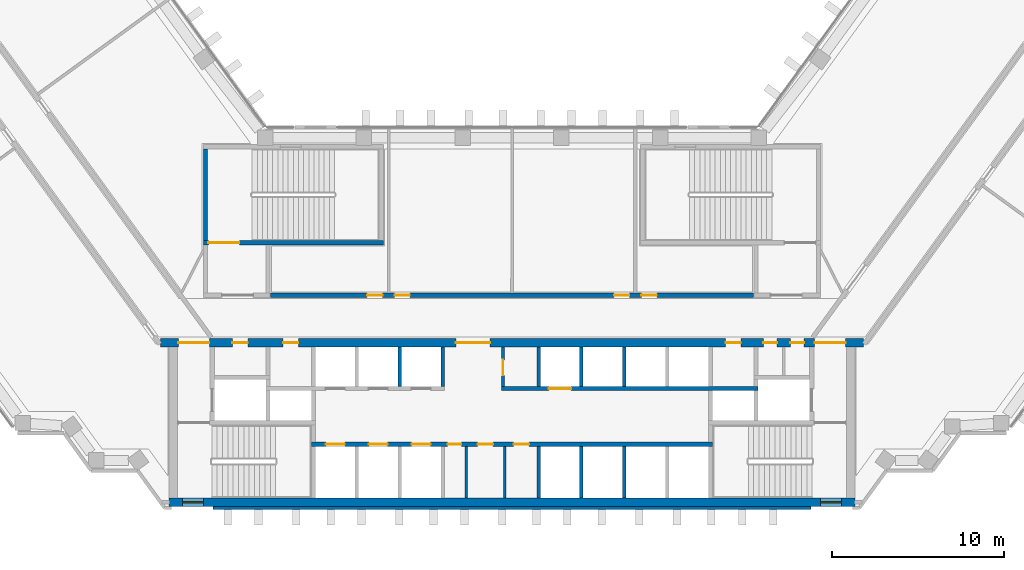
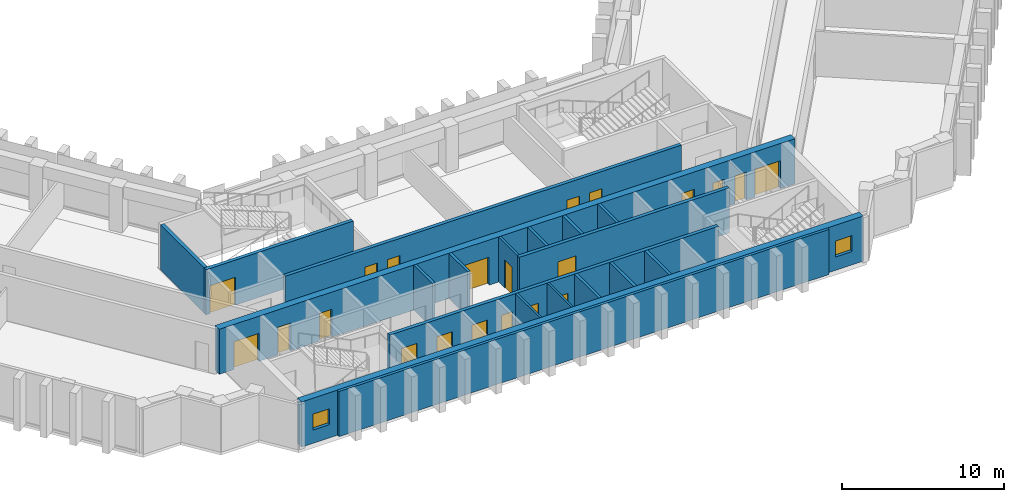
# One storey, part 5 of 12: 21 doors, 19 walls, 2 windows, 23 openings.
"""IFC4 building model written with IfcOpenShell, lengths in metres."""

from ifc_helpers import new_model, si_unit, direction, frame, frame_2d, origin, place, context, subcontext, project, spatial, rectangle, extrude, material, layer, layer_set, type_object, element, fill, save


model = new_model("IFC4")

# Units and contexts
model_context = context("Model", 3, precision=1e-05, world=origin(), true_north=direction((0.0, 1.0)))
body_context = subcontext(model_context, "Body", "Model", "MODEL_VIEW")
ifc_project = project(units=[si_unit("LENGTHUNIT", "METRE"), si_unit("AREAUNIT", "SQUARE_METRE"), si_unit("VOLUMEUNIT", "CUBIC_METRE"), si_unit("PLANEANGLEUNIT", "RADIAN"), si_unit("MASSUNIT", "GRAM", prefix="KILO")], contexts=[model_context])

# Site, building, storey
site_placement = place(None, origin())
site = spatial("IfcSite", under=ifc_project, at=site_placement, CompositionType="ELEMENT")
building_placement = place(site_placement, origin())
building = spatial("IfcBuilding", under=site, at=building_placement, Name="Quipu Civic Tower", CompositionType="ELEMENT")
storey_placement = place(building_placement, frame((0.0, 0.0, 75.0)))
storey = spatial("IfcBuildingStorey", under=building, at=storey_placement, Name="L17", CompositionType="ELEMENT", Elevation=75.0)

# Wall, openings, doors
ifc_material_1 = material(Name="Concrete C70/85", Category="concrete")
ifc_layer_1 = layer(ifc_material_1, 0.25)
ifc_layer_set_1 = layer_set([ifc_layer_1], Name="Concrete C70/85")
wall_type_1 = type_object("IfcWallType", Name="Core wall 250", PredefinedType="SHEAR", material=ifc_layer_set_1)
wall_1_placement = place(storey_placement, frame((11.699951171875, -7.375, 0.0), z_axis=(0.0, 0.0, 1.0), x_axis=(-1.0, 0.0, 0.0)))
wall_1 = element("IfcWall", 1, at=wall_1_placement, inside=storey, type_object=wall_type_1, Name="Core wall", PredefinedType="SHEAR", context=body_context, shape_type="SweptSolid", body=[
    extrude(rectangle(XDim=23.39990234375, YDim=0.25, at=frame_2d((11.699951171875, 0.0))), origin(), (0.0, 0.0, 1.0), 3.39990234375),
])
opening_1_placement = place(wall_1_placement, frame((21.449951171875, 0.0, 0.0)))
opening_1 = element("IfcOpeningElement", 2, at=opening_1_placement, cuts=wall_1, Name="Opening LD-LL1", PredefinedType="OPENING", context=body_context, shape_type="SweptSolid", body=[
    extrude(rectangle(XDim=1.10009765625, YDim=2.10009765625, at=frame_2d((0.550048828125, 1.050048828125))), frame((0.0, 0.135009765625, 0.0), z_axis=(0.0, -1.0, 0.0), x_axis=(1.0, 0.0, 0.0)), (0.0, 0.0, 1.0), 0.27001953125),
])
opening_2_placement = place(wall_1_placement, frame((18.949951171875, 0.0, 0.0)))
opening_2 = element("IfcOpeningElement", 3, at=opening_2_placement, cuts=wall_1, Name="Opening LD-LL2", PredefinedType="OPENING", context=body_context, shape_type="SweptSolid", body=[
    extrude(rectangle(XDim=1.10009765625, YDim=2.10009765625, at=frame_2d((0.550048828125, 1.050048828125))), frame((0.0, 0.135009765625, 0.0), z_axis=(0.0, -1.0, 0.0), x_axis=(1.0, 0.0, 0.0)), (0.0, 0.0, 1.0), 0.27001953125),
])
opening_3_placement = place(wall_1_placement, frame((16.449951171875, 0.0, 0.0)))
opening_3 = element("IfcOpeningElement", 4, at=opening_3_placement, cuts=wall_1, Name="Opening LD-LL3", PredefinedType="OPENING", context=body_context, shape_type="SweptSolid", body=[
    extrude(rectangle(XDim=1.10009765625, YDim=2.10009765625, at=frame_2d((0.550048828125, 1.050048828125))), frame((0.0, 0.135009765625, 0.0), z_axis=(0.0, -1.0, 0.0), x_axis=(1.0, 0.0, 0.0)), (0.0, 0.0, 1.0), 0.27001953125),
])
opening_4_placement = place(wall_1_placement, frame((14.64990234375, 0.0, 0.0)))
opening_4 = element("IfcOpeningElement", 5, at=opening_4_placement, cuts=wall_1, Name="Opening CD-01", PredefinedType="OPENING", context=body_context, shape_type="SweptSolid", body=[
    extrude(rectangle(XDim=0.800048828125, YDim=2.10009765625, at=frame_2d((0.39990234375, 1.050048828125))), frame((0.0, 0.135009765625, 0.0), z_axis=(0.0, -1.0, 0.0), x_axis=(1.0, 0.0, 0.0)), (0.0, 0.0, 1.0), 0.27001953125),
])
opening_5_placement = place(wall_1_placement, frame((12.800048828125, 0.0, 0.0)))
opening_5 = element("IfcOpeningElement", 6, at=opening_5_placement, cuts=wall_1, Name="Opening CD-02", PredefinedType="OPENING", context=body_context, shape_type="SweptSolid", body=[
    extrude(rectangle(XDim=0.89990234375, YDim=2.10009765625, at=frame_2d((0.449951171875, 1.050048828125))), frame((0.0, 0.135009765625, 0.0), z_axis=(0.0, -1.0, 0.0), x_axis=(1.0, 0.0, 0.0)), (0.0, 0.0, 1.0), 0.27001953125),
])
opening_6_placement = place(wall_1_placement, frame((10.699951171875, 0.0, 0.0)))
opening_6 = element("IfcOpeningElement", 7, at=opening_6_placement, cuts=wall_1, Name="Opening CD-03", PredefinedType="OPENING", context=body_context, shape_type="SweptSolid", body=[
    extrude(rectangle(XDim=0.89990234375, YDim=2.10009765625, at=frame_2d((0.449951171875, 1.050048828125))), frame((0.0, 0.135009765625, 0.0), z_axis=(0.0, -1.0, 0.0), x_axis=(1.0, 0.0, 0.0)), (0.0, 0.0, 1.0), 0.27001953125),
])
ifc_material_2 = material(Name="Fire rated steel door", Category="steel")
door_type_1 = type_object("IfcDoorType", Name="Fire door FD60 800 x 2100", OperationType="NOTDEFINED", PredefinedType="DOOR", material=ifc_material_2)
door_1_placement = place(opening_4_placement, origin())
door_1 = element("IfcDoor", 8, at=door_1_placement, inside=storey, type_object=door_type_1, Name="Door", OperationType="SINGLE_SWING_RIGHT", OverallHeight=2.10009765625, OverallWidth=0.800048828125, PredefinedType="DOOR", context=body_context, shape_type="SweptSolid", body=[
    extrude(rectangle(XDim=0.800048828125, YDim=2.10009765625, at=frame_2d((0.39990234375, 1.050048828125))), frame((0.0, 0.02490234375, 0.0), z_axis=(0.0, -1.0, 0.0), x_axis=(1.0, 0.0, 0.0)), (0.0, 0.0, 1.0), 0.050048828125),
])
fill(opening_4, door_1)
ifc_material_3 = material(Name="Fire rated steel door", Category="steel")
door_type_2 = type_object("IfcDoorType", Name="Fire door FD60 900 x 2100", OperationType="NOTDEFINED", PredefinedType="DOOR", material=ifc_material_3)
door_2_placement = place(opening_5_placement, origin())
door_2 = element("IfcDoor", 9, at=door_2_placement, inside=storey, type_object=door_type_2, Name="WC door", OperationType="SINGLE_SWING_RIGHT", OverallHeight=2.10009765625, OverallWidth=0.89990234375, PredefinedType="DOOR", context=body_context, shape_type="SweptSolid", body=[
    extrude(rectangle(XDim=0.89990234375, YDim=2.10009765625, at=frame_2d((0.449951171875, 1.050048828125))), frame((0.0, 0.02490234375, 0.0), z_axis=(0.0, -1.0, 0.0), x_axis=(1.0, 0.0, 0.0)), (0.0, 0.0, 1.0), 0.050048828125),
])
fill(opening_5, door_2)
door_3_placement = place(opening_6_placement, origin())
door_3 = element("IfcDoor", 10, at=door_3_placement, inside=storey, type_object=door_type_2, Name="WC door", OperationType="SINGLE_SWING_LEFT", OverallHeight=2.10009765625, OverallWidth=0.89990234375, PredefinedType="DOOR", context=body_context, shape_type="SweptSolid", body=[
    extrude(rectangle(XDim=0.89990234375, YDim=2.10009765625, at=frame_2d((0.449951171875, 1.050048828125))), frame((0.0, 0.02490234375, 0.0), z_axis=(0.0, -1.0, 0.0), x_axis=(1.0, 0.0, 0.0)), (0.0, 0.0, 1.0), 0.050048828125),
])
fill(opening_6, door_3)
ifc_material_4 = material(Name="Stainless steel", Category="steel")
door_type_3 = type_object("IfcDoorType", Name="Lift landing door 1100 x 2100", OperationType="DOUBLE_DOOR_SLIDING", PredefinedType="DOOR", material=ifc_material_4)
door_4_placement = place(opening_1_placement, origin())
door_4 = element("IfcDoor", 11, at=door_4_placement, inside=storey, type_object=door_type_3, Name="Landing door LL1", OperationType="DOUBLE_DOOR_SLIDING", OverallHeight=2.10009765625, OverallWidth=1.10009765625, PredefinedType="DOOR", context=body_context, shape_type="SweptSolid", body=[
    extrude(rectangle(XDim=1.10009765625, YDim=2.10009765625, at=frame_2d((0.550048828125, 1.050048828125))), frame((0.0, 0.02490234375, 0.0), z_axis=(0.0, -1.0, 0.0), x_axis=(1.0, 0.0, 0.0)), (0.0, 0.0, 1.0), 0.050048828125),
])
fill(opening_1, door_4)
door_5_placement = place(opening_2_placement, origin())
door_5 = element("IfcDoor", 12, at=door_5_placement, inside=storey, type_object=door_type_3, Name="Landing door LL2", OperationType="DOUBLE_DOOR_SLIDING", OverallHeight=2.10009765625, OverallWidth=1.10009765625, PredefinedType="DOOR", context=body_context, shape_type="SweptSolid", body=[
    extrude(rectangle(XDim=1.10009765625, YDim=2.10009765625, at=frame_2d((0.550048828125, 1.050048828125))), frame((0.0, 0.02490234375, 0.0), z_axis=(0.0, -1.0, 0.0), x_axis=(1.0, 0.0, 0.0)), (0.0, 0.0, 1.0), 0.050048828125),
])
fill(opening_2, door_5)
door_6_placement = place(opening_3_placement, origin())
door_6 = element("IfcDoor", 13, at=door_6_placement, inside=storey, type_object=door_type_3, Name="Landing door LL3", OperationType="DOUBLE_DOOR_SLIDING", OverallHeight=2.10009765625, OverallWidth=1.10009765625, PredefinedType="DOOR", context=body_context, shape_type="SweptSolid", body=[
    extrude(rectangle(XDim=1.10009765625, YDim=2.10009765625, at=frame_2d((0.550048828125, 1.050048828125))), frame((0.0, 0.02490234375, 0.0), z_axis=(0.0, -1.0, 0.0), x_axis=(1.0, 0.0, 0.0)), (0.0, 0.0, 1.0), 0.050048828125),
])
fill(opening_3, door_6)

# Wall, opening, door
wall_2_placement = place(storey_placement, frame((-0.60009765625, -4.125, 0.0), z_axis=(0.0, 0.0, 1.0), x_axis=(1.0, 0.0, 0.0)))
wall_2 = element("IfcWall", 14, at=wall_2_placement, inside=storey, type_object=wall_type_1, Name="Core wall", PredefinedType="SHEAR", context=body_context, shape_type="SweptSolid", body=[
    extrude(rectangle(XDim=14.9501953125, YDim=0.25, at=frame_2d((7.47509765625, 0.0))), origin(), (0.0, 0.0, 1.0), 3.39990234375),
])
opening_7_placement = place(wall_2_placement, frame((2.75, 0.0, 0.0)))
opening_7 = element("IfcOpeningElement", 15, at=opening_7_placement, cuts=wall_2, Name="Opening LD-FF3", PredefinedType="OPENING", context=body_context, shape_type="SweptSolid", body=[
    extrude(rectangle(XDim=1.300048828125, YDim=2.10009765625, at=frame_2d((0.64990234375, 1.050048828125))), frame((0.0, 0.135009765625, 0.0), z_axis=(0.0, -1.0, 0.0), x_axis=(1.0, 0.0, 0.0)), (0.0, 0.0, 1.0), 0.27001953125),
])
ifc_material_5 = material(Name="Stainless steel", Category="steel")
door_type_4 = type_object("IfcDoorType", Name="Lift landing door 1300 x 2100", OperationType="DOUBLE_DOOR_SLIDING", PredefinedType="DOOR", material=ifc_material_5)
door_7_placement = place(opening_7_placement, origin())
door_7 = element("IfcDoor", 16, at=door_7_placement, inside=storey, type_object=door_type_4, Name="Landing door FF3", OperationType="DOUBLE_DOOR_SLIDING", OverallHeight=2.10009765625, OverallWidth=1.300048828125, PredefinedType="DOOR", context=body_context, shape_type="SweptSolid", body=[
    extrude(rectangle(XDim=1.300048828125, YDim=2.10009765625, at=frame_2d((0.64990234375, 1.050048828125))), frame((0.0, 0.02490234375, 0.0), z_axis=(0.0, -1.0, 0.0), x_axis=(1.0, 0.0, 0.0)), (0.0, 0.0, 1.0), 0.050048828125),
])
fill(opening_7, door_7)

wall_3_placement = place(storey_placement, frame((-18.0, 4.375, 0.0), z_axis=(0.0, 0.0, 1.0), x_axis=(1.0, 0.0, 0.0)))
wall_3 = element("IfcWall", 17, at=wall_3_placement, inside=storey, type_object=wall_type_1, Name="Core wall", PredefinedType="SHEAR", context=body_context, shape_type="SweptSolid", body=[
    extrude(rectangle(XDim=10.5, YDim=0.25, at=frame_2d((5.25, 0.0))), origin(), (0.0, 0.0, 1.0), 3.39990234375),
])
opening_8_placement = place(wall_3_placement, frame((0.300048828125, 0.0, 0.0)))
opening_8 = element("IfcOpeningElement", 18, at=opening_8_placement, cuts=wall_3, Name="Opening CD-16", PredefinedType="OPENING", context=body_context, shape_type="SweptSolid", body=[
    extrude(rectangle(XDim=1.800048828125, YDim=2.10009765625, at=frame_2d((0.89990234375, 1.050048828125))), frame((0.0, 0.135009765625, 0.0), z_axis=(0.0, -1.0, 0.0), x_axis=(1.0, 0.0, 0.0)), (0.0, 0.0, 1.0), 0.27001953125),
])
ifc_material_6 = material(Name="Fire rated steel door", Category="steel")
door_type_5 = type_object("IfcDoorType", Name="Fire door FD90 double 1800 x 2100", OperationType="NOTDEFINED", PredefinedType="DOOR", material=ifc_material_6)
door_8_placement = place(opening_8_placement, origin())
door_8 = element("IfcDoor", 19, at=door_8_placement, inside=storey, type_object=door_type_5, Name="Door", OperationType="DOUBLE_DOOR_SINGLE_SWING", OverallHeight=2.10009765625, OverallWidth=1.800048828125, PredefinedType="DOOR", context=body_context, shape_type="SweptSolid", body=[
    extrude(rectangle(XDim=1.800048828125, YDim=2.10009765625, at=frame_2d((0.89990234375, 1.050048828125))), frame((0.0, 0.02490234375, 0.0), z_axis=(0.0, -1.0, 0.0), x_axis=(1.0, 0.0, 0.0)), (0.0, 0.0, 1.0), 0.050048828125),
])
fill(opening_8, door_8)

# Wall
wall_4_placement = place(storey_placement, frame((-17.875, 4.5, 0.0), z_axis=(0.0, 0.0, 1.0), x_axis=(0.0, 1.0, 0.0)))
element("IfcWall", 20, at=wall_4_placement, inside=storey, type_object=wall_type_1, Name="Core wall", PredefinedType="SHEAR", context=body_context, shape_type="SweptSolid", body=[
    extrude(rectangle(XDim=5.35009765625, YDim=0.25, at=frame_2d((2.675048828125, 0.0))), origin(), (0.0, 0.0, 1.0), 3.39990234375),
])

# Wall, openings, windows
ifc_material_7 = material(Name="Concrete C70/85", Category="concrete")
ifc_layer_2 = layer(ifc_material_7, 0.5)
ifc_layer_set_2 = layer_set([ifc_layer_2], Name="Concrete C70/85")
wall_type_2 = type_object("IfcWallType", Name="Core wall 500", PredefinedType="SHEAR", material=ifc_layer_set_2)
wall_5_placement = place(storey_placement, frame((-20.0, -10.75, 0.0), z_axis=(0.0, 0.0, 1.0), x_axis=(1.0, 0.0, 0.0)))
wall_5 = element("IfcWall", 21, at=wall_5_placement, inside=storey, type_object=wall_type_2, Name="Core wall", PredefinedType="SHEAR", context=body_context, shape_type="SweptSolid", body=[
    extrude(rectangle(XDim=40.0, YDim=0.5, at=frame_2d((20.0, 0.0))), origin(), (0.0, 0.0, 1.0), 3.39990234375),
])
opening_9_placement = place(wall_5_placement, frame((0.800048828125, 0.0, 1.0)))
opening_9 = element("IfcOpeningElement", 22, at=opening_9_placement, cuts=wall_5, Name="Opening SV-1", PredefinedType="OPENING", context=body_context, shape_type="SweptSolid", body=[
    extrude(rectangle(XDim=1.199951171875, YDim=1.199951171875, at=frame_2d((0.60009765625, 0.60009765625))), frame((0.0, 0.260009765625, 0.0), z_axis=(0.0, -1.0, 0.0), x_axis=(1.0, 0.0, 0.0)), (0.0, 0.0, 1.0), 0.52001953125),
])
opening_10_placement = place(wall_5_placement, frame((38.0, 0.0, 1.0)))
opening_10 = element("IfcOpeningElement", 23, at=opening_10_placement, cuts=wall_5, Name="Opening SV-2", PredefinedType="OPENING", context=body_context, shape_type="SweptSolid", body=[
    extrude(rectangle(XDim=1.199951171875, YDim=1.199951171875, at=frame_2d((0.60009765625, 0.60009765625))), frame((0.0, 0.260009765625, 0.0), z_axis=(0.0, -1.0, 0.0), x_axis=(1.0, 0.0, 0.0)), (0.0, 0.0, 1.0), 0.52001953125),
])
ifc_material_8 = material(Name="Aluminium louvre", Category="aluminium")
window_type = type_object("IfcWindowType", Name="Stair ventilation louvre 1200 x 1200", PartitioningType="SINGLE_PANEL", PredefinedType="WINDOW", material=ifc_material_8)
window_1_placement = place(opening_9_placement, origin())
window_1 = element("IfcWindow", 24, at=window_1_placement, inside=storey, type_object=window_type, Name="Stair ventilation opening", OverallHeight=1.199951171875, OverallWidth=1.199951171875, PartitioningType="SINGLE_PANEL", PredefinedType="WINDOW", context=body_context, shape_type="SweptSolid", body=[
    extrude(rectangle(XDim=1.199951171875, YDim=1.199951171875, at=frame_2d((0.60009765625, 0.60009765625))), frame((0.0, 0.030029296875, 0.0), z_axis=(0.0, -1.0, 0.0), x_axis=(1.0, 0.0, 0.0)), (0.0, 0.0, 1.0), 0.06005859375),
])
fill(opening_9, window_1)
window_2_placement = place(opening_10_placement, origin())
window_2 = element("IfcWindow", 25, at=window_2_placement, inside=storey, type_object=window_type, Name="Stair ventilation opening", OverallHeight=1.199951171875, OverallWidth=1.199951171875, PartitioningType="SINGLE_PANEL", PredefinedType="WINDOW", context=body_context, shape_type="SweptSolid", body=[
    extrude(rectangle(XDim=1.199951171875, YDim=1.199951171875, at=frame_2d((0.60009765625, 0.60009765625))), frame((0.0, 0.030029296875, 0.0), z_axis=(0.0, -1.0, 0.0), x_axis=(1.0, 0.0, 0.0)), (0.0, 0.0, 1.0), 0.06005859375),
])
fill(opening_10, window_2)

# Wall, openings, doors
wall_6_placement = place(storey_placement, frame((20.489990234375, -1.449951171875, 0.0), z_axis=(0.0, 0.0, 1.0), x_axis=(-1.0, 0.0, 0.0)))
wall_6 = element("IfcWall", 26, at=wall_6_placement, inside=storey, type_object=wall_type_2, Name="Core wall", PredefinedType="SHEAR", context=body_context, shape_type="SweptSolid", body=[
    extrude(rectangle(XDim=40.97998046875, YDim=0.5, at=frame_2d((20.489990234375, 0.0))), origin(), (0.0, 0.0, 1.0), 3.39990234375),
])
opening_11_placement = place(wall_6_placement, frame((38.139892578125, 0.0, 0.0)))
opening_11 = element("IfcOpeningElement", 27, at=opening_11_placement, cuts=wall_6, Name="Opening CD-07", PredefinedType="OPENING", context=body_context, shape_type="SweptSolid", body=[
    extrude(rectangle(XDim=1.800048828125, YDim=2.10009765625, at=frame_2d((0.89990234375, 1.050048828125))), frame((0.0, 0.260009765625, 0.0), z_axis=(0.0, -1.0, 0.0), x_axis=(1.0, 0.0, 0.0)), (0.0, 0.0, 1.0), 0.52001953125),
])
opening_12_placement = place(wall_6_placement, frame((35.889892578125, 0.0, 0.0)))
opening_12 = element("IfcOpeningElement", 28, at=opening_12_placement, cuts=wall_6, Name="Opening CD-08", PredefinedType="OPENING", context=body_context, shape_type="SweptSolid", body=[
    extrude(rectangle(XDim=0.89990234375, YDim=2.10009765625, at=frame_2d((0.449951171875, 1.050048828125))), frame((0.0, 0.260009765625, 0.0), z_axis=(0.0, -1.0, 0.0), x_axis=(1.0, 0.0, 0.0)), (0.0, 0.0, 1.0), 0.52001953125),
])
opening_13_placement = place(wall_6_placement, frame((32.93994140625, 0.0, 0.0)))
opening_13 = element("IfcOpeningElement", 29, at=opening_13_placement, cuts=wall_6, Name="Opening CD-09", PredefinedType="OPENING", context=body_context, shape_type="SweptSolid", body=[
    extrude(rectangle(XDim=0.89990234375, YDim=2.10009765625, at=frame_2d((0.449951171875, 1.050048828125))), frame((0.0, 0.260009765625, 0.0), z_axis=(0.0, -1.0, 0.0), x_axis=(1.0, 0.0, 0.0)), (0.0, 0.0, 1.0), 0.52001953125),
])
opening_14_placement = place(wall_6_placement, frame((21.764892578125, 0.0, 0.0)))
opening_14 = element("IfcOpeningElement", 30, at=opening_14_placement, cuts=wall_6, Name="Opening CD-10", PredefinedType="OPENING", context=body_context, shape_type="SweptSolid", body=[
    extrude(rectangle(XDim=2.0, YDim=2.10009765625, at=frame_2d((1.0, 1.050048828125))), frame((0.0, 0.260009765625, 0.0), z_axis=(0.0, -1.0, 0.0), x_axis=(1.0, 0.0, 0.0)), (0.0, 0.0, 1.0), 0.52001953125),
])
opening_15_placement = place(wall_6_placement, frame((7.139892578125, 0.0, 0.0)))
opening_15 = element("IfcOpeningElement", 31, at=opening_15_placement, cuts=wall_6, Name="Opening CD-11", PredefinedType="OPENING", context=body_context, shape_type="SweptSolid", body=[
    extrude(rectangle(XDim=0.89990234375, YDim=2.10009765625, at=frame_2d((0.449951171875, 1.050048828125))), frame((0.0, 0.260009765625, 0.0), z_axis=(0.0, -1.0, 0.0), x_axis=(1.0, 0.0, 0.0)), (0.0, 0.0, 1.0), 0.52001953125),
])
opening_16_placement = place(wall_6_placement, frame((5.027587890625, 0.0, 0.0)))
opening_16 = element("IfcOpeningElement", 32, at=opening_16_placement, cuts=wall_6, Name="Opening CD-12", PredefinedType="OPENING", context=body_context, shape_type="SweptSolid", body=[
    extrude(rectangle(XDim=0.800048828125, YDim=2.10009765625, at=frame_2d((0.39990234375, 1.050048828125))), frame((0.0, 0.260009765625, 0.0), z_axis=(0.0, -1.0, 0.0), x_axis=(1.0, 0.0, 0.0)), (0.0, 0.0, 1.0), 0.52001953125),
])
opening_17_placement = place(wall_6_placement, frame((3.452392578125, 0.0, 0.0)))
opening_17 = element("IfcOpeningElement", 33, at=opening_17_placement, cuts=wall_6, Name="Opening CD-13", PredefinedType="OPENING", context=body_context, shape_type="SweptSolid", body=[
    extrude(rectangle(XDim=0.800048828125, YDim=2.10009765625, at=frame_2d((0.39990234375, 1.050048828125))), frame((0.0, 0.260009765625, 0.0), z_axis=(0.0, -1.0, 0.0), x_axis=(1.0, 0.0, 0.0)), (0.0, 0.0, 1.0), 0.52001953125),
])
opening_18_placement = place(wall_6_placement, frame((1.0400390625, 0.0, 0.0)))
opening_18 = element("IfcOpeningElement", 34, at=opening_18_placement, cuts=wall_6, Name="Opening CD-14", PredefinedType="OPENING", context=body_context, shape_type="SweptSolid", body=[
    extrude(rectangle(XDim=1.800048828125, YDim=2.10009765625, at=frame_2d((0.89990234375, 1.050048828125))), frame((0.0, 0.260009765625, 0.0), z_axis=(0.0, -1.0, 0.0), x_axis=(1.0, 0.0, 0.0)), (0.0, 0.0, 1.0), 0.52001953125),
])
door_9_placement = place(opening_16_placement, origin())
door_9 = element("IfcDoor", 35, at=door_9_placement, inside=storey, type_object=door_type_1, Name="Door", OperationType="SINGLE_SWING_LEFT", OverallHeight=2.10009765625, OverallWidth=0.800048828125, PredefinedType="DOOR", context=body_context, shape_type="SweptSolid", body=[
    extrude(rectangle(XDim=0.800048828125, YDim=2.10009765625, at=frame_2d((0.39990234375, 1.050048828125))), frame((0.0, 0.02490234375, 0.0), z_axis=(0.0, -1.0, 0.0), x_axis=(1.0, 0.0, 0.0)), (0.0, 0.0, 1.0), 0.050048828125),
])
fill(opening_16, door_9)
door_10_placement = place(opening_17_placement, origin())
door_10 = element("IfcDoor", 36, at=door_10_placement, inside=storey, type_object=door_type_1, Name="Door", OperationType="SINGLE_SWING_LEFT", OverallHeight=2.10009765625, OverallWidth=0.800048828125, PredefinedType="DOOR", context=body_context, shape_type="SweptSolid", body=[
    extrude(rectangle(XDim=0.800048828125, YDim=2.10009765625, at=frame_2d((0.39990234375, 1.050048828125))), frame((0.0, 0.02490234375, 0.0), z_axis=(0.0, -1.0, 0.0), x_axis=(1.0, 0.0, 0.0)), (0.0, 0.0, 1.0), 0.050048828125),
])
fill(opening_17, door_10)
door_11_placement = place(opening_12_placement, origin())
door_11 = element("IfcDoor", 37, at=door_11_placement, inside=storey, type_object=door_type_2, Name="Door", OperationType="SINGLE_SWING_RIGHT", OverallHeight=2.10009765625, OverallWidth=0.89990234375, PredefinedType="DOOR", context=body_context, shape_type="SweptSolid", body=[
    extrude(rectangle(XDim=0.89990234375, YDim=2.10009765625, at=frame_2d((0.449951171875, 1.050048828125))), frame((0.0, 0.02490234375, 0.0), z_axis=(0.0, -1.0, 0.0), x_axis=(1.0, 0.0, 0.0)), (0.0, 0.0, 1.0), 0.050048828125),
])
fill(opening_12, door_11)
door_12_placement = place(opening_13_placement, origin())
door_12 = element("IfcDoor", 38, at=door_12_placement, inside=storey, type_object=door_type_2, Name="Riser door", OperationType="SINGLE_SWING_RIGHT", OverallHeight=2.10009765625, OverallWidth=0.89990234375, PredefinedType="DOOR", context=body_context, shape_type="SweptSolid", body=[
    extrude(rectangle(XDim=0.89990234375, YDim=2.10009765625, at=frame_2d((0.449951171875, 1.050048828125))), frame((0.0, 0.02490234375, 0.0), z_axis=(0.0, -1.0, 0.0), x_axis=(1.0, 0.0, 0.0)), (0.0, 0.0, 1.0), 0.050048828125),
])
fill(opening_13, door_12)
door_13_placement = place(opening_15_placement, origin())
door_13 = element("IfcDoor", 39, at=door_13_placement, inside=storey, type_object=door_type_2, Name="Riser door", OperationType="SINGLE_SWING_LEFT", OverallHeight=2.10009765625, OverallWidth=0.89990234375, PredefinedType="DOOR", context=body_context, shape_type="SweptSolid", body=[
    extrude(rectangle(XDim=0.89990234375, YDim=2.10009765625, at=frame_2d((0.449951171875, 1.050048828125))), frame((0.0, 0.02490234375, 0.0), z_axis=(0.0, -1.0, 0.0), x_axis=(1.0, 0.0, 0.0)), (0.0, 0.0, 1.0), 0.050048828125),
])
fill(opening_15, door_13)
door_14_placement = place(opening_11_placement, origin())
door_14 = element("IfcDoor", 40, at=door_14_placement, inside=storey, type_object=door_type_5, Name="Lobby door", OperationType="DOUBLE_DOOR_SINGLE_SWING", OverallHeight=2.10009765625, OverallWidth=1.800048828125, PredefinedType="DOOR", context=body_context, shape_type="SweptSolid", body=[
    extrude(rectangle(XDim=1.800048828125, YDim=2.10009765625, at=frame_2d((0.89990234375, 1.050048828125))), frame((0.0, 0.02490234375, 0.0), z_axis=(0.0, -1.0, 0.0), x_axis=(1.0, 0.0, 0.0)), (0.0, 0.0, 1.0), 0.050048828125),
])
fill(opening_11, door_14)
door_15_placement = place(opening_18_placement, origin())
door_15 = element("IfcDoor", 41, at=door_15_placement, inside=storey, type_object=door_type_5, Name="Lobby door", OperationType="DOUBLE_DOOR_SINGLE_SWING", OverallHeight=2.10009765625, OverallWidth=1.800048828125, PredefinedType="DOOR", context=body_context, shape_type="SweptSolid", body=[
    extrude(rectangle(XDim=1.800048828125, YDim=2.10009765625, at=frame_2d((0.89990234375, 1.050048828125))), frame((0.0, 0.02490234375, 0.0), z_axis=(0.0, -1.0, 0.0), x_axis=(1.0, 0.0, 0.0)), (0.0, 0.0, 1.0), 0.050048828125),
])
fill(opening_18, door_15)
ifc_material_9 = material(Name="Fire rated steel door", Category="steel")
door_type_6 = type_object("IfcDoorType", Name="Fire door FD90 double 2000 x 2100", OperationType="NOTDEFINED", PredefinedType="DOOR", material=ifc_material_9)
door_16_placement = place(opening_14_placement, origin())
door_16 = element("IfcDoor", 42, at=door_16_placement, inside=storey, type_object=door_type_6, Name="Lobby door", OperationType="DOUBLE_DOOR_SINGLE_SWING", OverallHeight=2.10009765625, OverallWidth=2.0, PredefinedType="DOOR", context=body_context, shape_type="SweptSolid", body=[
    extrude(rectangle(XDim=2.0, YDim=2.10009765625, at=frame_2d((1.0, 1.050048828125))), frame((0.0, 0.02490234375, 0.0), z_axis=(0.0, -1.0, 0.0), x_axis=(1.0, 0.0, 0.0)), (0.0, 0.0, 1.0), 0.050048828125),
])
fill(opening_14, door_16)

ifc_material_10 = material(Name="Concrete C50/60", Category="concrete")
ifc_layer_3 = layer(ifc_material_10, 0.25)
ifc_layer_set_3 = layer_set([ifc_layer_3], Name="Concrete C50/60")
wall_type_3 = type_object("IfcWallType", Name="Corridor wall 250 concrete", PredefinedType="SOLIDWALL", material=ifc_layer_set_3)
wall_7_placement = place(storey_placement, frame((-14.090087890625, 1.324951171875, 0.0), z_axis=(0.0, 0.0, 1.0), x_axis=(1.0, 0.0, 0.0)))
wall_7 = element("IfcWall", 43, at=wall_7_placement, inside=storey, type_object=wall_type_3, Name="Corridor wall C05", PredefinedType="SOLIDWALL", context=body_context, shape_type="SweptSolid", body=[
    extrude(rectangle(XDim=28.18017578125, YDim=0.25, at=frame_2d((14.090087890625, 0.0))), origin(), (0.0, 0.0, 1.0), 3.39990234375),
])
opening_19_placement = place(wall_7_placement, frame((20.0380859375, 0.0, 0.0)))
opening_19 = element("IfcOpeningElement", 44, at=opening_19_placement, cuts=wall_7, Name="Opening D013", PredefinedType="OPENING", context=body_context, shape_type="SweptSolid", body=[
    extrude(rectangle(XDim=0.89990234375, YDim=2.10009765625, at=frame_2d((0.449951171875, 1.050048828125))), frame((0.0, 0.135009765625, 0.0), z_axis=(0.0, -1.0, 0.0), x_axis=(1.0, 0.0, 0.0)), (0.0, 0.0, 1.0), 0.27001953125),
])
opening_20_placement = place(wall_7_placement, frame((7.241943359375, 0.0, 0.0)))
opening_20 = element("IfcOpeningElement", 45, at=opening_20_placement, cuts=wall_7, Name="Opening D012", PredefinedType="OPENING", context=body_context, shape_type="SweptSolid", body=[
    extrude(rectangle(XDim=0.89990234375, YDim=2.10009765625, at=frame_2d((0.449951171875, 1.050048828125))), frame((0.0, 0.135009765625, 0.0), z_axis=(0.0, -1.0, 0.0), x_axis=(1.0, 0.0, 0.0)), (0.0, 0.0, 1.0), 0.27001953125),
])
opening_21_placement = place(wall_7_placement, frame((21.637939453125, 0.0, 0.0)))
opening_21 = element("IfcOpeningElement", 46, at=opening_21_placement, cuts=wall_7, Name="Opening D014", PredefinedType="OPENING", context=body_context, shape_type="SweptSolid", body=[
    extrude(rectangle(XDim=0.89990234375, YDim=2.10009765625, at=frame_2d((0.449951171875, 1.050048828125))), frame((0.0, 0.135009765625, 0.0), z_axis=(0.0, -1.0, 0.0), x_axis=(1.0, 0.0, 0.0)), (0.0, 0.0, 1.0), 0.27001953125),
])
opening_22_placement = place(wall_7_placement, frame((5.64208984375, 0.0, 0.0)))
opening_22 = element("IfcOpeningElement", 47, at=opening_22_placement, cuts=wall_7, Name="Opening D011", PredefinedType="OPENING", context=body_context, shape_type="SweptSolid", body=[
    extrude(rectangle(XDim=0.89990234375, YDim=2.10009765625, at=frame_2d((0.449951171875, 1.050048828125))), frame((0.0, 0.135009765625, 0.0), z_axis=(0.0, -1.0, 0.0), x_axis=(1.0, 0.0, 0.0)), (0.0, 0.0, 1.0), 0.27001953125),
])
ifc_material_11 = material(Name="Fire rated timber door set with metal frame", Category="wood")
door_type_7 = type_object("IfcDoorType", Name="Single door 900 x 2100 FD60", OperationType="NOTDEFINED", PredefinedType="DOOR", material=ifc_material_11)
door_17_placement = place(opening_19_placement, origin())
door_17 = element("IfcDoor", 48, at=door_17_placement, inside=storey, type_object=door_type_7, Name="Door D013", OperationType="SINGLE_SWING_RIGHT", OverallHeight=2.10009765625, OverallWidth=0.89990234375, PredefinedType="DOOR", context=body_context, shape_type="SweptSolid", body=[
    extrude(rectangle(XDim=0.89990234375, YDim=2.10009765625, at=frame_2d((0.449951171875, 1.050048828125))), frame((0.0, 0.02490234375, 0.0), z_axis=(0.0, -1.0, 0.0), x_axis=(1.0, 0.0, 0.0)), (0.0, 0.0, 1.0), 0.050048828125),
])
fill(opening_19, door_17)
door_18_placement = place(opening_20_placement, origin())
door_18 = element("IfcDoor", 49, at=door_18_placement, inside=storey, type_object=door_type_7, Name="Door D012", OperationType="SINGLE_SWING_LEFT", OverallHeight=2.10009765625, OverallWidth=0.89990234375, PredefinedType="DOOR", context=body_context, shape_type="SweptSolid", body=[
    extrude(rectangle(XDim=0.89990234375, YDim=2.10009765625, at=frame_2d((0.449951171875, 1.050048828125))), frame((0.0, 0.02490234375, 0.0), z_axis=(0.0, -1.0, 0.0), x_axis=(1.0, 0.0, 0.0)), (0.0, 0.0, 1.0), 0.050048828125),
])
fill(opening_20, door_18)
door_19_placement = place(opening_21_placement, origin())
door_19 = element("IfcDoor", 50, at=door_19_placement, inside=storey, type_object=door_type_7, Name="Door D014", OperationType="SINGLE_SWING_LEFT", OverallHeight=2.10009765625, OverallWidth=0.89990234375, PredefinedType="DOOR", context=body_context, shape_type="SweptSolid", body=[
    extrude(rectangle(XDim=0.89990234375, YDim=2.10009765625, at=frame_2d((0.449951171875, 1.050048828125))), frame((0.0, 0.02490234375, 0.0), z_axis=(0.0, -1.0, 0.0), x_axis=(1.0, 0.0, 0.0)), (0.0, 0.0, 1.0), 0.050048828125),
])
fill(opening_21, door_19)
door_20_placement = place(opening_22_placement, origin())
door_20 = element("IfcDoor", 51, at=door_20_placement, inside=storey, type_object=door_type_7, Name="Door D011", OperationType="SINGLE_SWING_RIGHT", OverallHeight=2.10009765625, OverallWidth=0.89990234375, PredefinedType="DOOR", context=body_context, shape_type="SweptSolid", body=[
    extrude(rectangle(XDim=0.89990234375, YDim=2.10009765625, at=frame_2d((0.449951171875, 1.050048828125))), frame((0.0, 0.02490234375, 0.0), z_axis=(0.0, -1.0, 0.0), x_axis=(1.0, 0.0, 0.0)), (0.0, 0.0, 1.0), 0.050048828125),
])
fill(opening_22, door_20)

# Walls
ifc_material_12 = material(Name="Gypsum board partition")
ifc_layer_4 = layer(ifc_material_12, 0.14990234375)
ifc_layer_set_4 = layer_set([ifc_layer_4], Name="Gypsum board partition")
wall_type_4 = type_object("IfcWallType", Name="Partition 150", PredefinedType="PARTITIONING", material=ifc_layer_set_4)
for number, where, z_axis, x_axis, name in (
    (52, (-2.675048828125, -10.5, 0.0), (0.0, 0.0, 1.0), (0.0, 1.0, 0.0), "Partition"),
    (53, (-0.425048828125, -10.5, 0.0), (0.0, 0.0, 1.0), (0.0, 1.0, 0.0), "Partition"),
):
    element("IfcWall", number, at=place(storey_placement, frame(where, z_axis=z_axis, x_axis=x_axis)), inside=storey, type_object=wall_type_4, Name=name, PredefinedType="PARTITIONING", context=body_context, shape_type="SweptSolid", body=[
        extrude(rectangle(XDim=3.0, YDim=0.14990234375, at=frame_2d((1.5, 0.0))), origin(), (0.0, 0.0, 1.0), 3.39990234375),
    ])

# Wall, opening, door
wall_8_placement = place(storey_placement, frame((-0.52490234375, -4.0, 0.0), z_axis=(0.0, 0.0, 1.0), x_axis=(0.0, 1.0, 0.0)))
wall_8 = element("IfcWall", 54, at=wall_8_placement, inside=storey, type_object=wall_type_4, Name="Partition", PredefinedType="PARTITIONING", context=body_context, shape_type="SweptSolid", body=[
    extrude(rectangle(XDim=2.300048828125, YDim=0.14990234375, at=frame_2d((1.14990234375, 0.0))), origin(), (0.0, 0.0, 1.0), 3.39990234375),
])
opening_23_placement = place(wall_8_placement, frame((0.64990234375, 0.0, 0.0)))
opening_23 = element("IfcOpeningElement", 55, at=opening_23_placement, cuts=wall_8, Name="Opening CD-06", PredefinedType="OPENING", context=body_context, shape_type="SweptSolid", body=[
    extrude(rectangle(XDim=0.89990234375, YDim=2.10009765625, at=frame_2d((0.449951171875, 1.050048828125))), frame((0.0, 0.0849609375, 0.0), z_axis=(0.0, -1.0, 0.0), x_axis=(1.0, 0.0, 0.0)), (0.0, 0.0, 1.0), 0.169921875),
])
door_21_placement = place(opening_23_placement, origin())
door_21 = element("IfcDoor", 56, at=door_21_placement, inside=storey, type_object=door_type_2, Name="WC door", OperationType="SINGLE_SWING_LEFT", OverallHeight=2.10009765625, OverallWidth=0.89990234375, PredefinedType="DOOR", context=body_context, shape_type="SweptSolid", body=[
    extrude(rectangle(XDim=0.89990234375, YDim=2.10009765625, at=frame_2d((0.449951171875, 1.050048828125))), frame((0.0, 0.02490234375, 0.0), z_axis=(0.0, -1.0, 0.0), x_axis=(1.0, 0.0, 0.0)), (0.0, 0.0, 1.0), 0.050048828125),
])
fill(opening_23, door_21)

# Walls
ifc_material_13 = material(Name="Precast concrete C40/50", Category="concrete")
wall_type_5 = type_object("IfcWallType", Name="Precast cladding wall", PredefinedType="SOLIDWALL", material=ifc_material_13)
wall_9_placement = place(storey_placement, frame((-17.44384765625, -11.087890625, 0.0), z_axis=(0.0, 0.0, 1.0), x_axis=(1.0, 0.0, 0.0)))
element("IfcWall", 57, at=wall_9_placement, inside=storey, type_object=wall_type_5, Name="Precast cladding wall L17 P14", PredefinedType="SOLIDWALL", context=body_context, shape_type="SweptSolid", body=[
    extrude(rectangle(XDim=34.8876953125, YDim=0.199951171875, at=frame_2d((17.44384765625, 0.0))), origin(), (0.0, 0.0, 1.0), 3.39990234375),
])
ifc_material_14 = material(Name="Concrete C40/50", Category="concrete")
ifc_layer_5 = layer(ifc_material_14, 0.199951171875)
ifc_layer_set_5 = layer_set([ifc_layer_5], Name="Concrete C40/50")
wall_type_6 = type_object("IfcWallType", Name="Shaft wall 200", PredefinedType="SOLIDWALL", material=ifc_layer_set_5)
for number, where, z_axis, x_axis, name in (
    (58, (1.550048828125, -10.5, 0.0), (0.0, 0.0, 1.0), (0.0, 1.0, 0.0), "Shaft wall"),
    (59, (4.050048828125, -10.5, 0.0), (0.0, 0.0, 1.0), (0.0, 1.0, 0.0), "Shaft wall"),
    (60, (6.550048828125, -10.5, 0.0), (0.0, 0.0, 1.0), (0.0, 1.0, 0.0), "Shaft wall"),
):
    element("IfcWall", number, at=place(storey_placement, frame(where, z_axis=z_axis, x_axis=x_axis)), inside=storey, type_object=wall_type_6, Name=name, PredefinedType="SOLIDWALL", context=body_context, shape_type="SweptSolid", body=[
        extrude(rectangle(XDim=3.0, YDim=0.199951171875, at=frame_2d((1.5, 0.0))), origin(), (0.0, 0.0, 1.0), 3.39990234375),
    ])
for number, where, z_axis, x_axis, name in (
    (61, (-6.550048828125, -4.0, 0.0), (0.0, 0.0, 1.0), (0.0, 1.0, 0.0), "Shaft wall"),
    (62, (-4.050048828125, -4.0, 0.0), (0.0, 0.0, 1.0), (0.0, 1.0, 0.0), "Shaft wall"),
    (63, (1.550048828125, -4.0, 0.0), (0.0, 0.0, 1.0), (0.0, 1.0, 0.0), "Shaft wall"),
    (64, (4.050048828125, -4.0, 0.0), (0.0, 0.0, 1.0), (0.0, 1.0, 0.0), "Shaft wall"),
    (65, (6.550048828125, -4.0, 0.0), (0.0, 0.0, 1.0), (0.0, 1.0, 0.0), "Shaft wall"),
):
    element("IfcWall", number, at=place(storey_placement, frame(where, z_axis=z_axis, x_axis=x_axis)), inside=storey, type_object=wall_type_6, Name=name, PredefinedType="SOLIDWALL", context=body_context, shape_type="SweptSolid", body=[
        extrude(rectangle(XDim=2.300048828125, YDim=0.199951171875, at=frame_2d((1.14990234375, 0.0))), origin(), (0.0, 0.0, 1.0), 3.39990234375),
    ])

save(model, "model.ifc")
